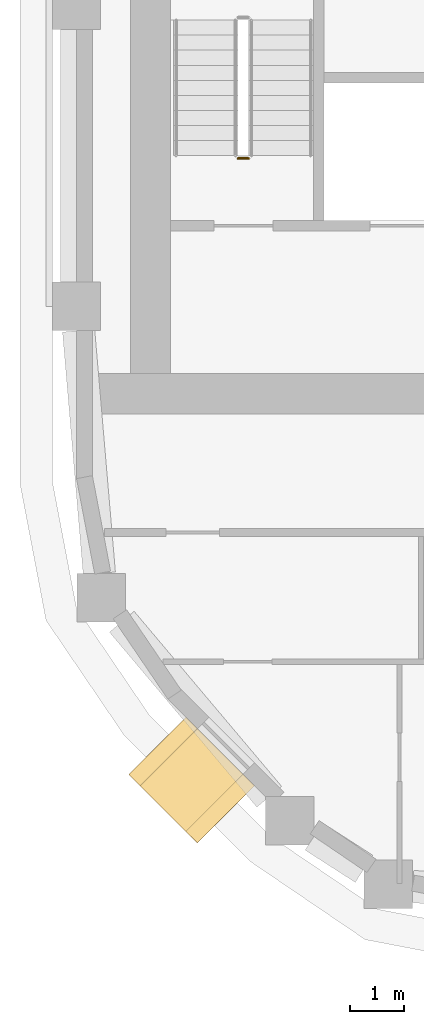
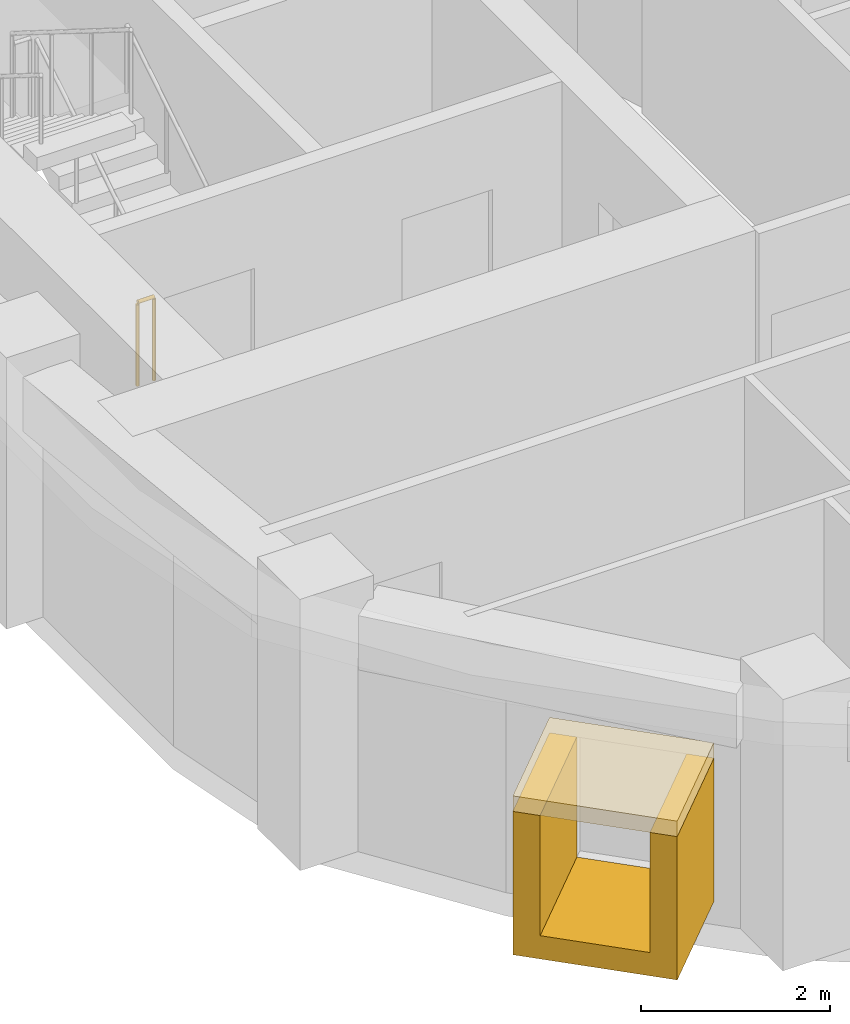
# One storey, part 10 of 21: 2 coverings, 1 railing.
"""IFC4 building model written with IfcOpenShell, lengths in metres."""

from ifc_helpers import new_model, si_unit, direction, frame, origin, origin_2d, place, context, subcontext, project, spatial, polyline, rectangle, circle, outline, extrude, material, layer, layer_set, type_object, element, save


model = new_model("IFC4")

# Units and contexts
model_context = context("Model", 3, precision=1e-05, world=origin(), true_north=direction((0.0, 1.0)))
body_context = subcontext(model_context, "Body", "Model", "MODEL_VIEW")
ifc_project = project(units=[si_unit("LENGTHUNIT", "METRE"), si_unit("AREAUNIT", "SQUARE_METRE"), si_unit("VOLUMEUNIT", "CUBIC_METRE"), si_unit("PLANEANGLEUNIT", "RADIAN"), si_unit("MASSUNIT", "GRAM", prefix="KILO")], contexts=[model_context])

# Site, building, storey
site_placement = place(None, origin())
site = spatial("IfcSite", under=ifc_project, at=site_placement, CompositionType="ELEMENT")
building_placement = place(site_placement, origin())
building = spatial("IfcBuilding", under=site, at=building_placement, Name="Kiln Ring Residences", CompositionType="ELEMENT")
storey_placement = place(building_placement, frame((0.0, 0.0, 192.39990234375)))
storey = spatial("IfcBuildingStorey", under=building, at=storey_placement, Name="L49", CompositionType="ELEMENT", Elevation=192.39990234375)

# Railing
ifc_material_1 = material(Name="Stainless steel", Category="steel")
railing_type = type_object("IfcRailingType", Name="CORE-STAIR-GUARD", PredefinedType="GUARDRAIL", material=ifc_material_1)
railing_placement = place(storey_placement, frame((-22.0, -8.449951171875, 0.0)))
element("IfcRailing", 1, at=railing_placement, inside=storey, type_object=railing_type, Name="L49 W-STS stair guard 4", PredefinedType="GUARDRAIL", context=body_context, shape_type="SweptSolid", body=[
    extrude(circle(Radius=0.02392578125, at=origin_2d()), frame((0.0, 0.0, 1.076171875), z_axis=(-1.0, 0.0, 0.0), x_axis=(0.0, -1.0, 0.0)), (0.0, 0.0, 1.0), 0.199951171875),
    extrude(circle(Radius=0.02099609375, at=origin_2d()), origin(), (0.0, 0.0, 1.0), 1.052001953125),
    extrude(circle(Radius=0.02099609375, at=origin_2d()), frame((-0.199951171875, 0.0, 0.0)), (0.0, 0.0, 1.0), 1.052001953125),
])

# Coverings
ifc_material_2 = material(Name="Brick masonry, dark clay brick", Category="masonry")
ifc_layer_1 = layer(ifc_material_2, 0.300048828125)
ifc_layer_set_1 = layer_set([ifc_layer_1], Name="FRAME CHEEKS AND SILL 1500")
covering_type_1 = type_object("IfcCoveringType", Name="FRAME CHEEKS AND SILL 1500", PredefinedType="CLADDING", material=ifc_layer_set_1)
covering_1_placement = place(storey_placement, frame((-23.697509765625, -19.36328125, 0.300048828125), z_axis=(0.0, 0.0, 1.0), x_axis=(0.707174592913, -0.707038962956, 0.0)))
element("IfcCovering", 2, at=covering_1_placement, inside=storey, type_object=covering_type_1, Name="FRAME L49", PredefinedType="CLADDING", context=body_context, shape_type="SweptSolid", body=[
    extrude(outline(polyline([(0.0, 0.0), (1.800048828125, 0.0), (1.800048828125, 1.85009765625), (1.5009765625, 1.85009765625), (1.5, 0.300048828125), (0.300048828125, 0.300048828125), (0.299072265625, 1.85009765625), (0.0, 1.85009765625), (0.0, 0.0)])), frame((0.0, 0.75, 0.0), z_axis=(0.0, -1.0, 0.0), x_axis=(1.0, 0.0, 0.0)), (0.0, 0.0, 1.0), 1.5),
])
ifc_material_3 = material(Name="Brick masonry, dark clay brick", Category="masonry")
ifc_layer_2 = layer(ifc_material_3, 0.199951171875)
ifc_layer_set_2 = layer_set([ifc_layer_2], Name="FRAME HEAD 1500")
covering_type_2 = type_object("IfcCoveringType", Name="FRAME HEAD 1500", PredefinedType="CLADDING", material=ifc_layer_set_2)
covering_2_placement = place(storey_placement, frame((-23.06103515625, -19.999755859375, 2.14990234375), z_axis=(0.0, 0.0, 1.0), x_axis=(0.707106781187, -0.707106781187, 0.0)))
element("IfcCovering", 3, at=covering_2_placement, inside=storey, type_object=covering_type_2, Name="FRAME HEAD L49", PredefinedType="CLADDING", context=body_context, shape_type="SweptSolid", body=[
    extrude(rectangle(XDim=1.800048828125, YDim=1.5, at=origin_2d()), origin(), (0.0, 0.0, 1.0), 0.199951171875),
])

save(model, "model.ifc")
